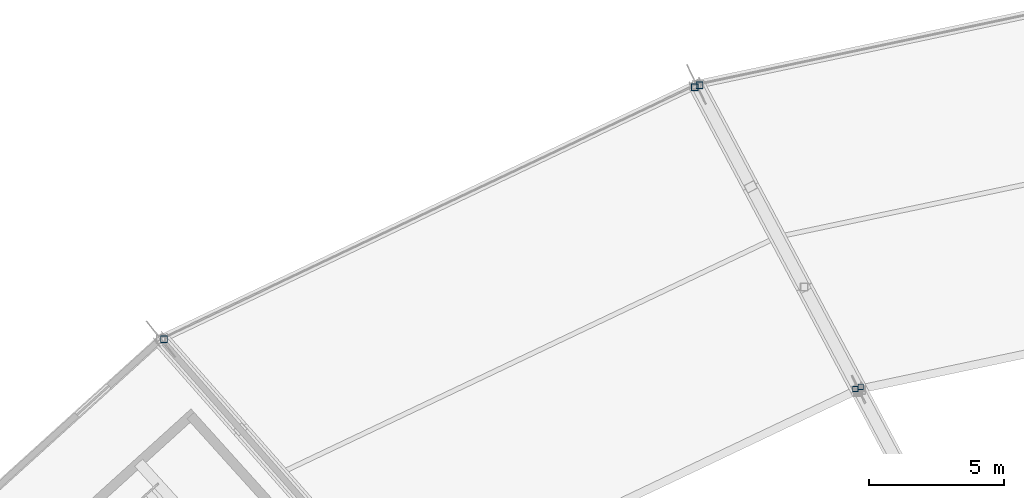
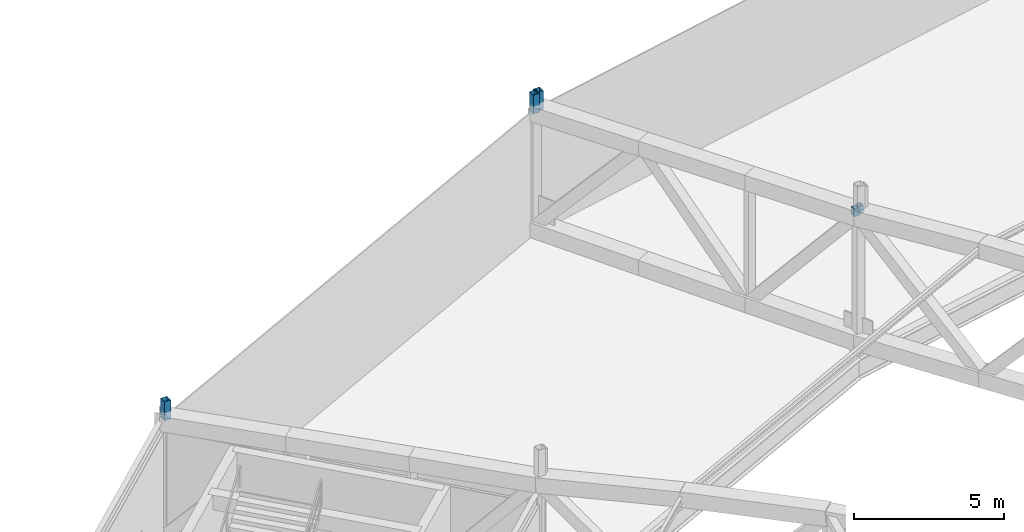
# One storey, part 127 of 162: 5 members.
"""IFC4 building model written with IfcOpenShell, lengths in metres."""

from ifc_helpers import new_model, si_unit, direction, frame, origin, origin_2d, place, context, subcontext, project, spatial, hollow_rectangle, extrude, material, material_profile, profile_set, type_object, element, save


model = new_model("IFC4")

# Units and contexts
model_context = context("Model", 3, precision=1e-05, world=origin(), true_north=direction((0.0, 1.0)))
body_context = subcontext(model_context, "Body", "Model", "MODEL_VIEW")
ifc_project = project(units=[si_unit("LENGTHUNIT", "METRE"), si_unit("AREAUNIT", "SQUARE_METRE"), si_unit("VOLUMEUNIT", "CUBIC_METRE"), si_unit("PLANEANGLEUNIT", "RADIAN"), si_unit("MASSUNIT", "GRAM", prefix="KILO")], contexts=[model_context])

# Site, building, storey
site_placement = place(None, origin())
site = spatial("IfcSite", under=ifc_project, at=site_placement, CompositionType="ELEMENT")
building_placement = place(site_placement, origin())
building = spatial("IfcBuilding", under=site, at=building_placement, Name="Kazemori Nagisa Stadium", CompositionType="ELEMENT")
storey_placement = place(building_placement, frame((0.0, 0.0, 36.719970703125)))
storey = spatial("IfcBuildingStorey", under=building, at=storey_placement, Name="RF", CompositionType="ELEMENT", Elevation=36.719970703125)

# Members
ifc_material = material(Name="Steel STKR490", Category="steel")
ifc_material_profile_1 = material_profile(ifc_material, hollow_rectangle(XDim=0.25, YDim=0.25, WallThickness=0.011962890625, at=origin_2d()), Name="SHS-250x250x12")
ifc_profile_set_1 = profile_set([ifc_material_profile_1], Name="Steel STKR490")
member_type_1 = type_object("IfcMemberType", Name="Member_ST-SHS250", PredefinedType="STUD", material=ifc_profile_set_1)
for number, where, z_axis, x_axis, name in (
    (1, (80.31103515625, 182.4326171875, 5.10009765625), (0.0, 0.0, 1.0), (1.0, 0.0, 0.0), "Canopy bearing stool B09-outer-2"),
    (2, (80.132080078125, 182.3623046875, 5.10009765625), (0.0, 0.0, 1.0), (1.0, 0.0, 0.0), "Canopy bearing stool B10-outer-1"),
    (3, (60.52197265625, 173.0537109375, 5.10009765625), (0.0, 0.0, 1.0), (1.0, 0.0, 0.0), "Canopy bearing stool B10-outer-2"),
):
    element("IfcMember", number, at=place(storey_placement, frame(where, z_axis=z_axis, x_axis=x_axis)), inside=storey, type_object=member_type_1, Name=name, PredefinedType="STUD", context=body_context, shape_type="SweptSolid", body=[
        extrude(hollow_rectangle(XDim=0.25, YDim=0.25, WallThickness=0.011962890625, at=origin_2d()), origin(), (0.0, 0.0, 1.0), 0.77490234375),
    ])
ifc_material_profile_2 = material_profile(ifc_material, hollow_rectangle(XDim=0.199951171875, YDim=0.199951171875, WallThickness=0.009033203125, at=origin_2d()), Name="SHS-200x200x9")
ifc_profile_set_2 = profile_set([ifc_material_profile_2], Name="Steel STKR490")
member_type_2 = type_object("IfcMemberType", Name="Member_TS-SHS200", PredefinedType="STRUT", material=ifc_profile_set_2)
for number, where, z_axis, x_axis, name in (
    (4, (86.26806640625, 171.28857421875, 5.56005859375), (0.0, 0.0, 1.0), (1.0, 0.0, 0.0), "Canopy bearing stool B09-outer-3"),
    (5, (86.068603515625, 171.211669921875, 5.56005859375), (0.0, 0.0, 1.0), (1.0, 0.0, 0.0), "Canopy bearing stool B10-outer-4"),
):
    element("IfcMember", number, at=place(storey_placement, frame(where, z_axis=z_axis, x_axis=x_axis)), inside=storey, type_object=member_type_2, Name=name, PredefinedType="STRUT", context=body_context, shape_type="SweptSolid", body=[
        extrude(hollow_rectangle(XDim=0.199951171875, YDim=0.199951171875, WallThickness=0.009033203125, at=origin_2d()), origin(), (0.0, 0.0, 1.0), 0.31494140625),
    ])

save(model, "model.ifc")
